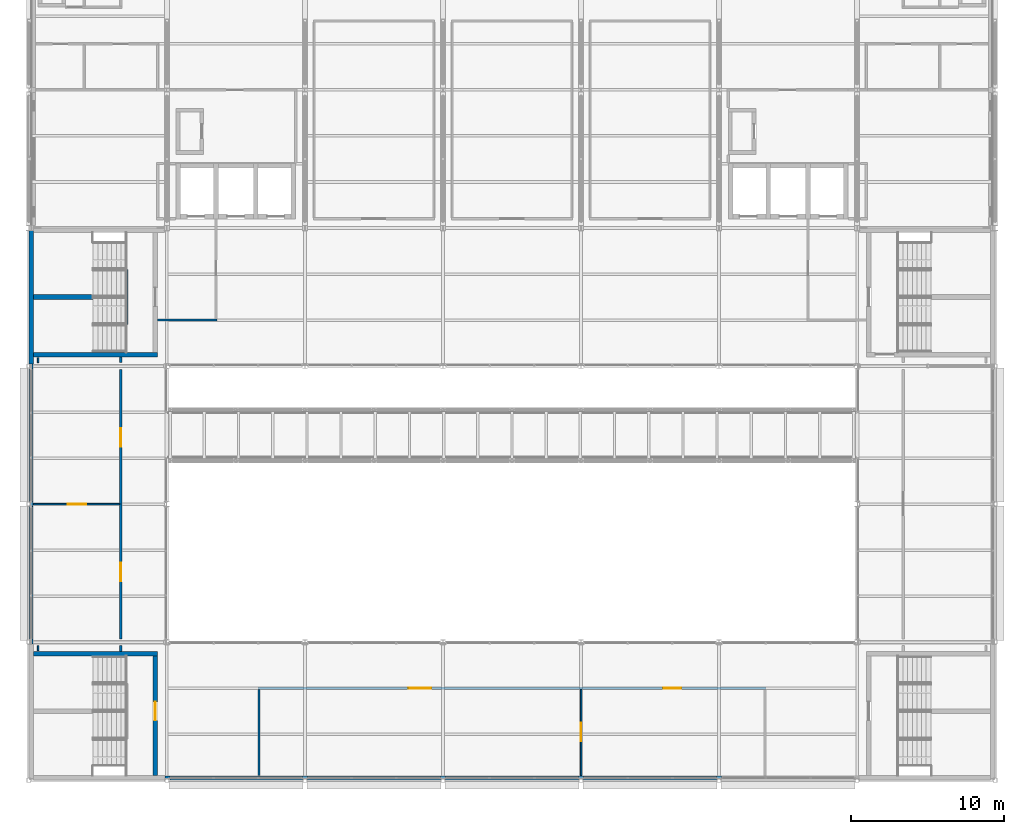
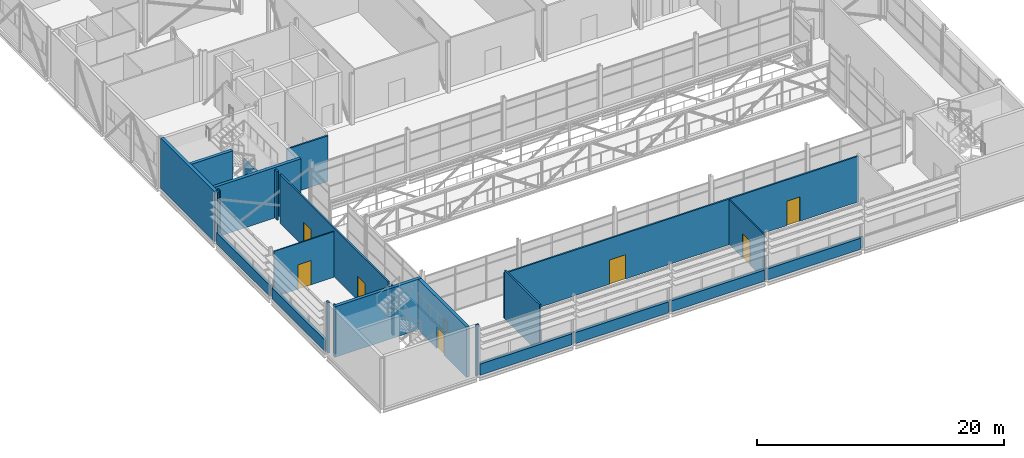
# One storey, part 76 of 94: 30 walls, 7 doors, 7 openings.
"""IFC4 building model written with IfcOpenShell, lengths in metres."""

from ifc_helpers import new_model, si_unit, direction, frame, frame_2d, origin, place, context, subcontext, project, spatial, rectangle, extrude, material, layer, layer_set, type_object, element, fill, save


model = new_model("IFC4")

# Units and contexts
model_context = context("Model", 3, precision=1e-05, world=origin(), true_north=direction((0.0, 1.0)))
body_context = subcontext(model_context, "Body", "Model", "MODEL_VIEW")
ifc_project = project(units=[si_unit("LENGTHUNIT", "METRE"), si_unit("AREAUNIT", "SQUARE_METRE"), si_unit("VOLUMEUNIT", "CUBIC_METRE"), si_unit("PLANEANGLEUNIT", "RADIAN"), si_unit("MASSUNIT", "GRAM", prefix="KILO")], contexts=[model_context])

# Site, building, storey
site_placement = place(None, origin())
site = spatial("IfcSite", under=ifc_project, at=site_placement, CompositionType="ELEMENT")
building_placement = place(site_placement, origin())
building = spatial("IfcBuilding", under=site, at=building_placement, Name="Shorebreak Coast Museum", CompositionType="ELEMENT")
storey_placement = place(building_placement, frame((0.0, 0.0, 31.0)))
storey = spatial("IfcBuildingStorey", under=building, at=storey_placement, Name="L05", CompositionType="ELEMENT", Elevation=31.0)

# Walls
ifc_material_1 = material(Name="Concrete N50 (50 MPa)", Category="concrete")
ifc_layer_1 = layer(ifc_material_1, 0.14990234375)
ifc_layer_set_1 = layer_set([ifc_layer_1], Name="Concrete N50 (50 MPa)")
wall_type_1 = type_object("IfcWallType", Name="Column closure panel 150", PredefinedType="SOLIDWALL", material=ifc_layer_set_1)
wall_1_placement = place(storey_placement, frame((62.875, 54.199951171875, 0.0), z_axis=(0.0, 0.0, 1.0), x_axis=(1.0, 0.0, 0.0)))
element("IfcWall", 1, at=wall_1_placement, inside=storey, type_object=wall_type_1, Name="Column closure panel L05 S 8G", PredefinedType="SOLIDWALL", context=body_context, shape_type="SweptSolid", body=[
    extrude(rectangle(XDim=0.322021484375, YDim=0.14990234375, at=frame_2d((0.1611328125, 0.0))), origin(), (0.0, 0.0, 1.0), 5.0),
])
for number, where, z_axis, x_axis, name in (
    (2, (71.839111328125, 54.199951171875, 0.0), (0.0, 0.0, 1.0), (1.0, 0.0, 0.0), "Column closure panel L05 S 9G"),
    (3, (80.839111328125, 54.199951171875, 0.0), (0.0, 0.0, 1.0), (1.0, 0.0, 0.0), "Column closure panel L05 S 10G"),
    (4, (89.839111328125, 54.199951171875, 0.0), (0.0, 0.0, 1.0), (1.0, 0.0, 0.0), "Column closure panel L05 S 11G"),
    (5, (98.839111328125, 54.199951171875, 0.0), (0.0, 0.0, 1.0), (1.0, 0.0, 0.0), "Column closure panel L05 S 12G"),
):
    element("IfcWall", number, at=place(storey_placement, frame(where, z_axis=z_axis, x_axis=x_axis)), inside=storey, type_object=wall_type_1, Name=name, PredefinedType="SOLIDWALL", context=body_context, shape_type="SweptSolid", body=[
        extrude(rectangle(XDim=0.32177734375, YDim=0.14990234375, at=frame_2d((0.160888671875, 0.0))), origin(), (0.0, 0.0, 1.0), 1.10009765625),
    ])
wall_2_placement = place(storey_placement, frame((54.199951171875, 62.875, 0.0), z_axis=(0.0, 0.0, 1.0), x_axis=(0.0, 1.0, 0.0)))
element("IfcWall", 6, at=wall_2_placement, inside=storey, type_object=wall_type_1, Name="Column closure panel L05 W 7H", PredefinedType="SOLIDWALL", context=body_context, shape_type="SweptSolid", body=[
    extrude(rectangle(XDim=0.322021484375, YDim=0.14990234375, at=frame_2d((0.1611328125, 0.0))), origin(), (0.0, 0.0, 1.0), 5.0),
])
wall_3_placement = place(storey_placement, frame((54.199951171875, 71.839111328125, 0.0), z_axis=(0.0, 0.0, 1.0), x_axis=(0.0, 1.0, 0.0)))
element("IfcWall", 7, at=wall_3_placement, inside=storey, type_object=wall_type_1, Name="Column closure panel L05 W 7J", PredefinedType="SOLIDWALL", context=body_context, shape_type="SweptSolid", body=[
    extrude(rectangle(XDim=0.32177734375, YDim=0.14990234375, at=frame_2d((0.160888671875, 0.0))), origin(), (0.0, 0.0, 1.0), 1.10009765625),
])
wall_4_placement = place(storey_placement, frame((54.199951171875, 80.802978515625, 0.0), z_axis=(0.0, 0.0, 1.0), x_axis=(0.0, 1.0, 0.0)))
element("IfcWall", 8, at=wall_4_placement, inside=storey, type_object=wall_type_1, Name="Column closure panel L05 W 7K", PredefinedType="SOLIDWALL", context=body_context, shape_type="SweptSolid", body=[
    extrude(rectangle(XDim=0.322021484375, YDim=0.14990234375, at=frame_2d((0.1611328125, 0.0))), origin(), (0.0, 0.0, 1.0), 5.0),
])

# Wall, openings, doors
ifc_material_2 = material(Name="Plasterboard on steel stud", Category="steel")
ifc_layer_2 = layer(ifc_material_2, 0.14990234375)
ifc_layer_set_2 = layer_set([ifc_layer_2], Name="Plasterboard on steel stud")
wall_type_2 = type_object("IfcWallType", Name="Fire partition 150", PredefinedType="PARTITIONING", material=ifc_layer_set_2)
wall_5_placement = place(storey_placement, frame((68.925048828125, 60.0, 0.0), z_axis=(0.0, 0.0, 1.0), x_axis=(1.0, 0.0, 0.0)))
wall_5 = element("IfcWall", 9, at=wall_5_placement, inside=storey, type_object=wall_type_2, Name="Partition L05-001", PredefinedType="PARTITIONING", context=body_context, shape_type="SweptSolid", body=[
    extrude(rectangle(XDim=33.14990234375, YDim=0.14990234375, at=frame_2d((16.574951171875, 0.0))), origin(), (0.0, 0.0, 1.0), 4.52099609375),
])
opening_1_placement = place(wall_5_placement, frame((9.824951171875, 0.0, 0.0)))
opening_1 = element("IfcOpeningElement", 10, at=opening_1_placement, cuts=wall_5, Name="Opening D5003", PredefinedType="OPENING", context=body_context, shape_type="SweptSolid", body=[
    extrude(rectangle(XDim=1.5, YDim=2.39990234375, at=frame_2d((0.75, 1.199951171875))), frame((0.0, 0.0849609375, 0.0), z_axis=(0.0, -1.0, 0.0), x_axis=(1.0, 0.0, 0.0)), (0.0, 0.0, 1.0), 0.169921875),
])
opening_2_placement = place(wall_5_placement, frame((26.425048828125, 0.0, 0.0)))
opening_2 = element("IfcOpeningElement", 11, at=opening_2_placement, cuts=wall_5, Name="Opening D5004", PredefinedType="OPENING", context=body_context, shape_type="SweptSolid", body=[
    extrude(rectangle(XDim=1.199951171875, YDim=2.39990234375, at=frame_2d((0.60009765625, 1.199951171875))), frame((0.0, 0.0849609375, 0.0), z_axis=(0.0, -1.0, 0.0), x_axis=(1.0, 0.0, 0.0)), (0.0, 0.0, 1.0), 0.169921875),
])
ifc_material_3 = material(Name="Steel", Category="steel")
door_type_1 = type_object("IfcDoorType", Name="Fire door 1200x2400 60", OperationType="SINGLE_SWING_LEFT", PredefinedType="DOOR", material=ifc_material_3)
door_1_placement = place(opening_2_placement, origin())
door_1 = element("IfcDoor", 12, at=door_1_placement, inside=storey, type_object=door_type_1, Name="Door D5004 Surf Craft Gallery 5.01", OperationType="SINGLE_SWING_LEFT", OverallHeight=2.39990234375, OverallWidth=1.199951171875, PredefinedType="DOOR", context=body_context, shape_type="SweptSolid", body=[
    extrude(rectangle(XDim=1.199951171875, YDim=2.39990234375, at=frame_2d((0.60009765625, 1.199951171875))), frame((0.0, 0.02490234375, 0.0), z_axis=(0.0, -1.0, 0.0), x_axis=(1.0, 0.0, 0.0)), (0.0, 0.0, 1.0), 0.050048828125),
])
fill(opening_2, door_1)
ifc_material_4 = material(Name="Steel", Category="steel")
door_type_2 = type_object("IfcDoorType", Name="Fire door 1500x2400 60", OperationType="DOUBLE_DOOR_SINGLE_SWING", PredefinedType="DOOR", material=ifc_material_4)
door_2_placement = place(opening_1_placement, origin())
door_2 = element("IfcDoor", 13, at=door_2_placement, inside=storey, type_object=door_type_2, Name="Door D5003 Media Gallery 5.01", OperationType="DOUBLE_DOOR_SINGLE_SWING", OverallHeight=2.39990234375, OverallWidth=1.5, PredefinedType="DOOR", context=body_context, shape_type="SweptSolid", body=[
    extrude(rectangle(XDim=1.5, YDim=2.39990234375, at=frame_2d((0.75, 1.199951171875))), frame((0.0, 0.02490234375, 0.0), z_axis=(0.0, -1.0, 0.0), x_axis=(1.0, 0.0, 0.0)), (0.0, 0.0, 1.0), 0.050048828125),
])
fill(opening_1, door_2)

# Walls
wall_6_placement = place(storey_placement, frame((62.39990234375, 84.0, 0.0), z_axis=(0.0, 0.0, 1.0), x_axis=(1.0, 0.0, 0.0)))
element("IfcWall", 14, at=wall_6_placement, inside=storey, type_object=wall_type_2, Name="Partition L05-003", PredefinedType="PARTITIONING", context=body_context, shape_type="SweptSolid", body=[
    extrude(rectangle(XDim=3.875, YDim=0.14990234375, at=frame_2d((1.9375, 0.0))), origin(), (0.0, 0.0, 1.0), 4.52099609375),
])
wall_7_placement = place(storey_placement, frame((60.0, 62.39990234375, 0.0), z_axis=(0.0, 0.0, 1.0), x_axis=(0.0, 1.0, 0.0)))
element("IfcWall", 15, at=wall_7_placement, inside=storey, type_object=wall_type_2, Name="Partition L05-047", PredefinedType="PARTITIONING", context=body_context, shape_type="SweptSolid", body=[
    extrude(rectangle(XDim=0.380126953125, YDim=0.14990234375, at=frame_2d((0.18994140625, 0.0))), origin(), (0.0, 0.0, 1.0), 4.824951171875),
])

# Wall, openings, doors
wall_8_placement = place(storey_placement, frame((60.0, 63.219970703125, 0.0), z_axis=(0.0, 0.0, 1.0), x_axis=(0.0, 1.0, 0.0)))
wall_8 = element("IfcWall", 16, at=wall_8_placement, inside=storey, type_object=wall_type_2, Name="Partition L05-048", PredefinedType="PARTITIONING", context=body_context, shape_type="SweptSolid", body=[
    extrude(rectangle(XDim=17.56005859375, YDim=0.14990234375, at=frame_2d((8.780029296875, 0.0))), origin(), (0.0, 0.0, 1.0), 4.824951171875),
])
opening_3_placement = place(wall_8_placement, frame((3.75, 0.0, 0.0)))
opening_3 = element("IfcOpeningElement", 17, at=opening_3_placement, cuts=wall_8, Name="Opening D5005", PredefinedType="OPENING", context=body_context, shape_type="SweptSolid", body=[
    extrude(rectangle(XDim=1.199951171875, YDim=2.39990234375, at=frame_2d((0.60009765625, 1.199951171875))), frame((0.0, 0.0849609375, 0.0), z_axis=(0.0, -1.0, 0.0), x_axis=(1.0, 0.0, 0.0)), (0.0, 0.0, 1.0), 0.169921875),
])
opening_4_placement = place(wall_8_placement, frame((12.530029296875, 0.0, 0.0)))
opening_4 = element("IfcOpeningElement", 18, at=opening_4_placement, cuts=wall_8, Name="Opening D5006", PredefinedType="OPENING", context=body_context, shape_type="SweptSolid", body=[
    extrude(rectangle(XDim=1.199951171875, YDim=2.39990234375, at=frame_2d((0.60009765625, 1.199951171875))), frame((0.0, 0.0849609375, 0.0), z_axis=(0.0, -1.0, 0.0), x_axis=(1.0, 0.0, 0.0)), (0.0, 0.0, 1.0), 0.169921875),
])
door_3_placement = place(opening_3_placement, origin())
door_3 = element("IfcDoor", 19, at=door_3_placement, inside=storey, type_object=door_type_1, Name="Door D5005 Maritime Gallery 5.01", OperationType="SINGLE_SWING_LEFT", OverallHeight=2.39990234375, OverallWidth=1.199951171875, PredefinedType="DOOR", context=body_context, shape_type="SweptSolid", body=[
    extrude(rectangle(XDim=1.199951171875, YDim=2.39990234375, at=frame_2d((0.60009765625, 1.199951171875))), frame((0.0, 0.02490234375, 0.0), z_axis=(0.0, -1.0, 0.0), x_axis=(1.0, 0.0, 0.0)), (0.0, 0.0, 1.0), 0.050048828125),
])
fill(opening_3, door_3)
door_4_placement = place(opening_4_placement, origin())
door_4 = element("IfcDoor", 20, at=door_4_placement, inside=storey, type_object=door_type_1, Name="Door D5006 Permanent Gallery", OperationType="SINGLE_SWING_RIGHT", OverallHeight=2.39990234375, OverallWidth=1.199951171875, PredefinedType="DOOR", context=body_context, shape_type="SweptSolid", body=[
    extrude(rectangle(XDim=1.199951171875, YDim=2.39990234375, at=frame_2d((0.60009765625, 1.199951171875))), frame((0.0, 0.02490234375, 0.0), z_axis=(0.0, -1.0, 0.0), x_axis=(1.0, 0.0, 0.0)), (0.0, 0.0, 1.0), 0.050048828125),
])
fill(opening_4, door_4)

# Walls
wall_9_placement = place(storey_placement, frame((60.0, 81.219970703125, 0.0), z_axis=(0.0, 0.0, 1.0), x_axis=(0.0, 1.0, 0.0)))
element("IfcWall", 21, at=wall_9_placement, inside=storey, type_object=wall_type_2, Name="Partition L05-049", PredefinedType="PARTITIONING", context=body_context, shape_type="SweptSolid", body=[
    extrude(rectangle(XDim=0.380126953125, YDim=0.14990234375, at=frame_2d((0.18994140625, 0.0))), origin(), (0.0, 0.0, 1.0), 4.824951171875),
])
wall_10_placement = place(storey_placement, frame((69.0, 54.300048828125, 0.0), z_axis=(0.0, 0.0, 1.0), x_axis=(0.0, 1.0, 0.0)))
element("IfcWall", 22, at=wall_10_placement, inside=storey, type_object=wall_type_2, Name="Partition L05-055", PredefinedType="PARTITIONING", context=body_context, shape_type="SweptSolid", body=[
    extrude(rectangle(XDim=5.625, YDim=0.14990234375, at=frame_2d((2.8125, 0.0))), origin(), (0.0, 0.0, 1.0), 4.824951171875),
])

# Wall, opening, door
ifc_material_5 = material(Name="Plasterboard on steel stud", Category="steel")
ifc_layer_3 = layer(ifc_material_5, 0.10009765625)
ifc_layer_set_3 = layer_set([ifc_layer_3], Name="Plasterboard on steel stud")
wall_type_3 = type_object("IfcWallType", Name="Partition 100", PredefinedType="PARTITIONING", material=ifc_layer_set_3)
wall_11_placement = place(storey_placement, frame((54.300048828125, 72.0, 0.0), z_axis=(0.0, 0.0, 1.0), x_axis=(1.0, 0.0, 0.0)))
wall_11 = element("IfcWall", 23, at=wall_11_placement, inside=storey, type_object=wall_type_3, Name="Partition L05-002", PredefinedType="PARTITIONING", context=body_context, shape_type="SweptSolid", body=[
    extrude(rectangle(XDim=5.625, YDim=0.10009765625, at=frame_2d((2.8125, 0.0))), origin(), (0.0, 0.0, 1.0), 4.517822265625),
])
opening_5_placement = place(wall_11_placement, frame((2.25, 0.0, 0.0)))
opening_5 = element("IfcOpeningElement", 24, at=opening_5_placement, cuts=wall_11, Name="Opening D5028", PredefinedType="OPENING", context=body_context, shape_type="SweptSolid", body=[
    extrude(rectangle(XDim=1.199951171875, YDim=2.39990234375, at=frame_2d((0.60009765625, 1.199951171875))), frame((0.0, 0.06005859375, 0.0), z_axis=(0.0, -1.0, 0.0), x_axis=(1.0, 0.0, 0.0)), (0.0, 0.0, 1.0), 0.1201171875),
])
ifc_material_6 = material(Name="Timber", Category="wood")
door_type_3 = type_object("IfcDoorType", Name="Interior door 1200x2400", OperationType="SINGLE_SWING_LEFT", PredefinedType="DOOR", material=ifc_material_6)
door_5_placement = place(opening_5_placement, origin())
door_5 = element("IfcDoor", 25, at=door_5_placement, inside=storey, type_object=door_type_3, Name="Door D5028 Maritime Gallery 5.01", OperationType="SINGLE_SWING_LEFT", OverallHeight=2.39990234375, OverallWidth=1.199951171875, PredefinedType="DOOR", context=body_context, shape_type="SweptSolid", body=[
    extrude(rectangle(XDim=1.199951171875, YDim=2.39990234375, at=frame_2d((0.60009765625, 1.199951171875))), frame((0.0, 0.02490234375, 0.0), z_axis=(0.0, -1.0, 0.0), x_axis=(1.0, 0.0, 0.0)), (0.0, 0.0, 1.0), 0.050048828125),
])
fill(opening_5, door_5)

# Walls
for number, where, z_axis, x_axis, name in (
    (26, (54.60009765625, 62.449951171875, 0.0), (0.0, 0.0, 1.0), (0.0, 1.0, 0.0), "Partition L05-043"),
    (27, (54.60009765625, 81.219970703125, 0.0), (0.0, 0.0, 1.0), (0.0, 1.0, 0.0), "Partition L05-044"),
):
    element("IfcWall", number, at=place(storey_placement, frame(where, z_axis=z_axis, x_axis=x_axis)), inside=storey, type_object=wall_type_3, Name=name, PredefinedType="PARTITIONING", context=body_context, shape_type="SweptSolid", body=[
        extrude(rectangle(XDim=0.330078125, YDim=0.10009765625, at=frame_2d((0.1650390625, 0.0))), origin(), (0.0, 0.0, 1.0), 4.824951171875),
    ])

# Wall, opening, door
wall_12_placement = place(storey_placement, frame((90.0, 54.300048828125, 0.0), z_axis=(0.0, 0.0, 1.0), x_axis=(0.0, 1.0, 0.0)))
wall_12 = element("IfcWall", 28, at=wall_12_placement, inside=storey, type_object=wall_type_3, Name="Partition L05-066", PredefinedType="PARTITIONING", context=body_context, shape_type="SweptSolid", body=[
    extrude(rectangle(XDim=5.625, YDim=0.10009765625, at=frame_2d((2.8125, 0.0))), origin(), (0.0, 0.0, 1.0), 4.418701171875),
])
opening_6_placement = place(wall_12_placement, frame((2.25, 0.0, 0.0)))
opening_6 = element("IfcOpeningElement", 29, at=opening_6_placement, cuts=wall_12, Name="Opening D5027", PredefinedType="OPENING", context=body_context, shape_type="SweptSolid", body=[
    extrude(rectangle(XDim=1.199951171875, YDim=2.39990234375, at=frame_2d((0.60009765625, 1.199951171875))), frame((0.0, 0.06005859375, 0.0), z_axis=(0.0, -1.0, 0.0), x_axis=(1.0, 0.0, 0.0)), (0.0, 0.0, 1.0), 0.1201171875),
])
door_6_placement = place(opening_6_placement, origin())
door_6 = element("IfcDoor", 30, at=door_6_placement, inside=storey, type_object=door_type_3, Name="Door D5027 Media Gallery 5.01", OperationType="SINGLE_SWING_RIGHT", OverallHeight=2.39990234375, OverallWidth=1.199951171875, PredefinedType="DOOR", context=body_context, shape_type="SweptSolid", body=[
    extrude(rectangle(XDim=1.199951171875, YDim=2.39990234375, at=frame_2d((0.60009765625, 1.199951171875))), frame((0.0, 0.02490234375, 0.0), z_axis=(0.0, -1.0, 0.0), x_axis=(1.0, 0.0, 0.0)), (0.0, 0.0, 1.0), 0.050048828125),
])
fill(opening_6, door_6)

# Walls
ifc_material_7 = material(Name="Concrete N50 (50 MPa)", Category="concrete")
ifc_layer_4 = layer(ifc_material_7, 0.25)
ifc_layer_set_4 = layer_set([ifc_layer_4], Name="Concrete N50 (50 MPa)")
wall_type_4 = type_object("IfcWallType", Name="Precast upper panel 250", PredefinedType="SOLIDWALL", material=ifc_layer_set_4)
wall_13_placement = place(storey_placement, frame((63.197021484375, 54.14990234375, 0.0), z_axis=(0.0, 0.0, 1.0), x_axis=(1.0, 0.0, 0.0)))
element("IfcWall", 31, at=wall_13_placement, inside=storey, type_object=wall_type_4, Name="External wall L05 S 8G", PredefinedType="SOLIDWALL", context=body_context, shape_type="SweptSolid", body=[
    extrude(rectangle(XDim=8.64208984375, YDim=0.25, at=frame_2d((4.321044921875, 0.0))), origin(), (0.0, 0.0, 1.0), 1.10009765625),
])
for number, where, z_axis, x_axis, name in (
    (32, (72.160888671875, 54.14990234375, 0.0), (0.0, 0.0, 1.0), (1.0, 0.0, 0.0), "External wall L05 S 9G"),
    (33, (81.160888671875, 54.14990234375, 0.0), (0.0, 0.0, 1.0), (1.0, 0.0, 0.0), "External wall L05 S 10G"),
    (34, (90.160888671875, 54.14990234375, 0.0), (0.0, 0.0, 1.0), (1.0, 0.0, 0.0), "External wall L05 S 11G"),
):
    element("IfcWall", number, at=place(storey_placement, frame(where, z_axis=z_axis, x_axis=x_axis)), inside=storey, type_object=wall_type_4, Name=name, PredefinedType="SOLIDWALL", context=body_context, shape_type="SweptSolid", body=[
        extrude(rectangle(XDim=8.67822265625, YDim=0.25, at=frame_2d((4.339111328125, 0.0))), origin(), (0.0, 0.0, 1.0), 1.10009765625),
    ])
for number, where, z_axis, x_axis, name in (
    (35, (54.14990234375, 63.197021484375, 0.0), (0.0, 0.0, 1.0), (0.0, 1.0, 0.0), "External wall L05 W 7H"),
    (36, (54.14990234375, 72.160888671875, 0.0), (0.0, 0.0, 1.0), (0.0, 1.0, 0.0), "External wall L05 W 7J"),
):
    element("IfcWall", number, at=place(storey_placement, frame(where, z_axis=z_axis, x_axis=x_axis)), inside=storey, type_object=wall_type_4, Name=name, PredefinedType="SOLIDWALL", context=body_context, shape_type="SweptSolid", body=[
        extrude(rectangle(XDim=8.64208984375, YDim=0.25, at=frame_2d((4.321044921875, 0.0))), origin(), (0.0, 0.0, 1.0), 1.10009765625),
    ])
ifc_material_8 = material(Name="Concrete N50 (50 MPa)", Category="concrete")
ifc_layer_5 = layer(ifc_material_8, 0.300048828125)
ifc_layer_set_5 = layer_set([ifc_layer_5], Name="Concrete N50 (50 MPa)")
wall_type_5 = type_object("IfcWallType", Name="RC wall 300", PredefinedType="SHEAR", material=ifc_layer_set_5)
wall_14_placement = place(storey_placement, frame((54.300048828125, 62.25, 0.0), z_axis=(0.0, 0.0, 1.0), x_axis=(1.0, 0.0, 0.0)))
element("IfcWall", 37, at=wall_14_placement, inside=storey, type_object=wall_type_5, Name="Stair core wall ST01 L05 N", PredefinedType="SHEAR", context=body_context, shape_type="SweptSolid", body=[
    extrude(rectangle(XDim=8.099853515625, YDim=0.300048828125, at=frame_2d((4.0498046875, 0.0))), origin(), (0.0, 0.0, 1.0), 5.0),
])

# Wall, opening, door
wall_15_placement = place(storey_placement, frame((62.25, 54.300048828125, 0.0), z_axis=(0.0, 0.0, 1.0), x_axis=(0.0, 1.0, 0.0)))
wall_15 = element("IfcWall", 38, at=wall_15_placement, inside=storey, type_object=wall_type_5, Name="Stair core wall ST01 L05 E", PredefinedType="SHEAR", context=body_context, shape_type="SweptSolid", body=[
    extrude(rectangle(XDim=7.800048828125, YDim=0.300048828125, at=frame_2d((3.89990234375, 0.0))), origin(), (0.0, 0.0, 1.0), 5.0),
])
opening_7_placement = place(wall_15_placement, frame((3.60009765625, 0.0, 0.0)))
opening_7 = element("IfcOpeningElement", 39, at=opening_7_placement, cuts=wall_15, Name="Opening D5801", PredefinedType="OPENING", context=body_context, shape_type="SweptSolid", body=[
    extrude(rectangle(XDim=1.199951171875, YDim=2.10009765625, at=frame_2d((0.60009765625, 1.050048828125))), frame((0.0, 0.159912109375, 0.0), z_axis=(0.0, -1.0, 0.0), x_axis=(1.0, 0.0, 0.0)), (0.0, 0.0, 1.0), 0.320068359375),
])
ifc_material_9 = material(Name="Steel Grade 300", Category="steel")
door_type_4 = type_object("IfcDoorType", Name="Fire door 1200x2100", OperationType="SINGLE_SWING_LEFT", PredefinedType="DOOR", material=ifc_material_9)
door_7_placement = place(opening_7_placement, origin())
door_7 = element("IfcDoor", 40, at=door_7_placement, inside=storey, type_object=door_type_4, Name="Stair door ST01 L05", OperationType="SINGLE_SWING_LEFT", OverallHeight=2.10009765625, OverallWidth=1.199951171875, PredefinedType="DOOR", context=body_context, shape_type="SweptSolid", body=[
    extrude(rectangle(XDim=1.199951171875, YDim=2.10009765625, at=frame_2d((0.60009765625, 1.050048828125))), frame((0.0, 0.02490234375, 0.0), z_axis=(0.0, -1.0, 0.0), x_axis=(1.0, 0.0, 0.0)), (0.0, 0.0, 1.0), 0.050048828125),
])
fill(opening_7, door_7)

# Walls
wall_16_placement = place(storey_placement, frame((54.300048828125, 81.75, 0.0), z_axis=(0.0, 0.0, 1.0), x_axis=(1.0, 0.0, 0.0)))
element("IfcWall", 41, at=wall_16_placement, inside=storey, type_object=wall_type_5, Name="Stair core wall ST03 L05 S", PredefinedType="SHEAR", context=body_context, shape_type="SweptSolid", body=[
    extrude(rectangle(XDim=8.099853515625, YDim=0.300048828125, at=frame_2d((4.0498046875, 0.0))), origin(), (0.0, 0.0, 1.0), 5.0),
])
wall_17_placement = place(storey_placement, frame((54.14990234375, 81.125, 0.0), z_axis=(0.0, 0.0, 1.0), x_axis=(0.0, 1.0, 0.0)))
element("IfcWall", 42, at=wall_17_placement, inside=storey, type_object=wall_type_5, Name="Stair core wall ST03 L05 W", PredefinedType="SHEAR", context=body_context, shape_type="SweptSolid", body=[
    extrude(rectangle(XDim=8.71142578125, YDim=0.300048828125, at=frame_2d((4.355712890625, 0.0))), origin(), (0.0, 0.0, 1.0), 5.0),
])
wall_18_placement = place(storey_placement, frame((58.199951171875, 85.5, 0.0), z_axis=(0.0, 0.0, 1.0), x_axis=(-1.0, 0.0, 0.0)))
element("IfcWall", 43, at=wall_18_placement, inside=storey, type_object=wall_type_5, Name="Stair spine wall ST03 L05", PredefinedType="SHEAR", context=body_context, shape_type="SweptSolid", body=[
    extrude(rectangle(XDim=3.89990234375, YDim=0.300048828125, at=frame_2d((1.949951171875, 0.0))), origin(), (0.0, 0.0, 1.0), 5.0),
])
ifc_material_10 = material(Name="Concrete N50 (50 MPa)", Category="concrete")
ifc_layer_6 = layer(ifc_material_10, 0.14990234375)
ifc_layer_set_6 = layer_set([ifc_layer_6], Name="Concrete N50 (50 MPa)")
wall_type_6 = type_object("IfcWallType", Name="Understair wall 150", PredefinedType="STANDARD", material=ifc_layer_set_6)
wall_19_placement = place(storey_placement, frame((60.375, 83.699951171875, 0.0), z_axis=(0.0, 0.0, 1.0), x_axis=(0.0, 1.0, 0.0)))
element("IfcWall", 44, at=wall_19_placement, inside=storey, type_object=wall_type_6, Name="Understair wall ST03 L05 floor", PredefinedType="STANDARD", context=body_context, shape_type="SweptSolid", body=[
    extrude(rectangle(XDim=3.60009765625, YDim=0.14990234375, at=frame_2d((1.800048828125, 0.0))), origin(), (0.0, 0.0, 1.0), 2.300048828125),
])

save(model, "model.ifc")
